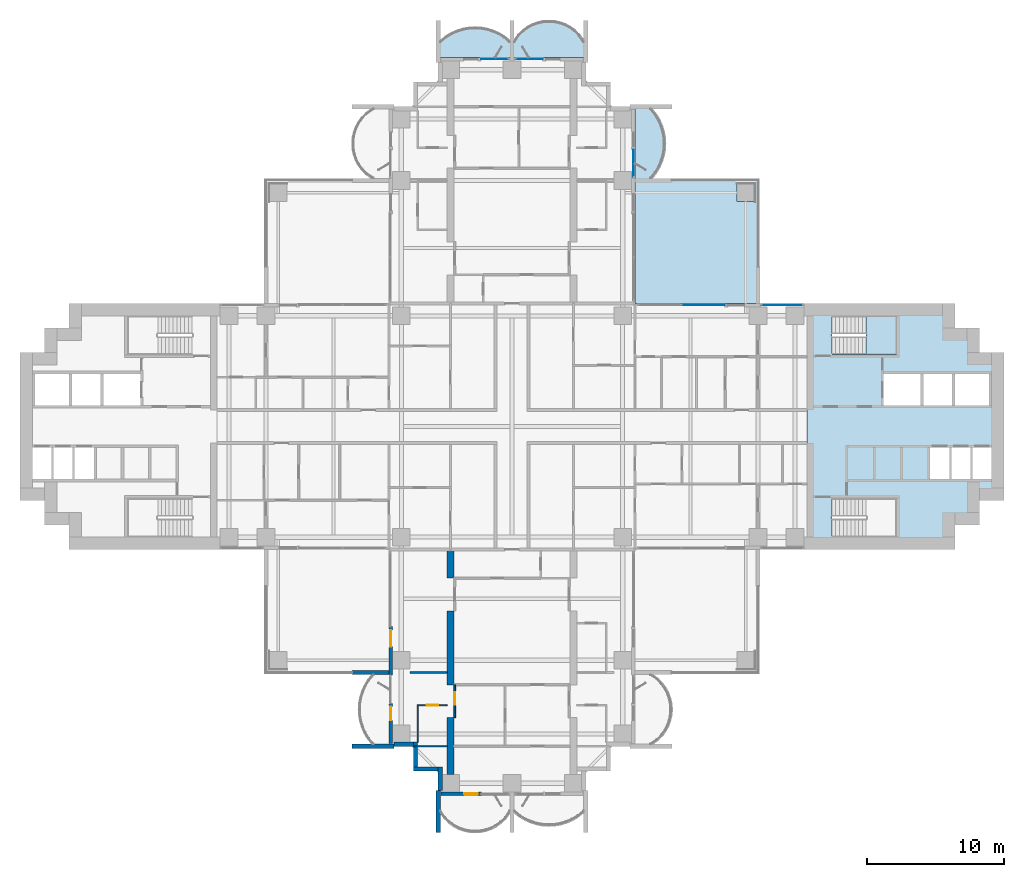
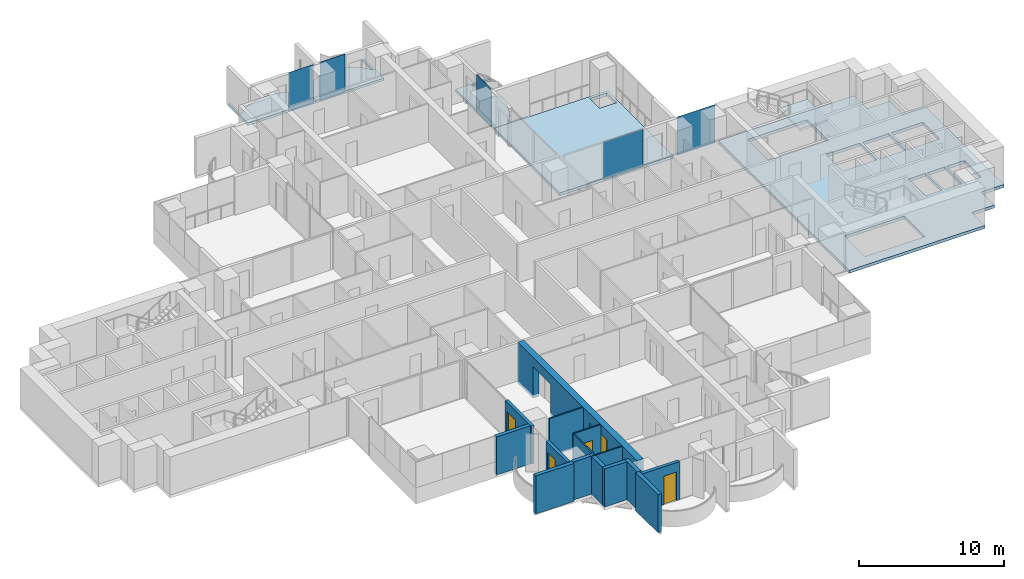
# One storey, part 9 of 21: 16 walls, 6 slabs, 5 doors, 5 plates, 5 openings, 6 elements without a shape of their own.
"""IFC4 building model written with IfcOpenShell, lengths in metres."""

from ifc_helpers import new_model, si_unit, direction, frame, frame_2d, origin, origin_2d, place, context, subcontext, project, spatial, polyline, rectangle, outline, extrude, material, layer, layer_set, material_profile, profile_set, type_object, element, fill, aggregate, save


model = new_model("IFC4")

# Units and contexts
model_context = context("Model", 3, precision=1e-05, world=origin(), true_north=direction((0.0, 1.0)))
body_context = subcontext(model_context, "Body", "Model", "MODEL_VIEW")
ifc_project = project(units=[si_unit("LENGTHUNIT", "METRE"), si_unit("AREAUNIT", "SQUARE_METRE"), si_unit("VOLUMEUNIT", "CUBIC_METRE"), si_unit("PLANEANGLEUNIT", "RADIAN"), si_unit("MASSUNIT", "GRAM", prefix="KILO")], contexts=[model_context])

# Site, building, storey
site_placement = place(None, origin())
site = spatial("IfcSite", under=ifc_project, at=site_placement, CompositionType="ELEMENT")
building_placement = place(site_placement, origin())
building = spatial("IfcBuilding", under=site, at=building_placement, Name="Perihelion Cross Residences", CompositionType="ELEMENT")
storey_placement = place(building_placement, frame((0.0, 0.0, 89.0)))
storey = spatial("IfcBuildingStorey", under=building, at=storey_placement, Name="L20", CompositionType="ELEMENT", Elevation=89.0)

# Slabs
ifc_material_1 = material(Name="Concrete C40/50", Category="concrete")
ifc_layer_1 = layer(ifc_material_1, 0.199951171875)
ifc_layer_set_1 = layer_set([ifc_layer_1], Name="Balcony slab 200")
slab_type_1 = type_object("IfcSlabType", Name="Balcony slab 200", PredefinedType="FLOOR", material=ifc_layer_set_1)
slab_1_placement = place(storey_placement, frame((0.0, 0.0, -0.199951171875)))
element("IfcSlab", 1, at=slab_1_placement, inside=storey, type_object=slab_type_1, Name="Slab BK1 L20 north side east bay 2 balcony", PredefinedType="FLOOR", context=body_context, shape_type="SweptSolid", body=[
    extrude(outline(polyline([(9.0, 18.0), (9.0, 23.39990234375), (11.699951171875, 23.39990234375), (11.699951171875, 23.25), (10.199951171875, 23.25), (10.5400390625, 22.824951171875), (10.792724609375, 22.39990234375), (10.9765625, 21.97509765625), (11.1025390625, 21.550048828125), (11.17578125, 21.125), (11.199951171875, 20.699951171875), (11.17578125, 20.27490234375), (11.1025390625, 19.85009765625), (10.9765625, 19.425048828125), (10.792724609375, 19.0), (10.5400390625, 18.574951171875), (10.199951171875, 18.14990234375), (11.699951171875, 18.14990234375), (11.699951171875, 18.0), (9.0, 18.0)])), origin(), (0.0, 0.0, 1.0), 0.199951171875),
])
slab_2_placement = place(storey_placement, frame((0.0, 0.0, -0.199951171875)))
element("IfcSlab", 2, at=slab_2_placement, inside=storey, type_object=slab_type_1, Name="Slab BK1 L20 north tip north bay 1 balcony", PredefinedType="FLOOR", context=body_context, shape_type="SweptSolid", body=[
    extrude(outline(polyline([(5.39990234375, 27.0), (0.0, 27.0), (0.0, 29.699951171875), (0.14990234375, 29.699951171875), (0.14990234375, 28.199951171875), (0.489990234375, 28.6767578125), (0.830078125, 29.007080078125), (1.169921875, 29.2490234375), (1.510009765625, 29.42724609375), (1.85009765625, 29.553466796875), (2.18994140625, 29.63427734375), (2.530029296875, 29.674072265625), (2.8701171875, 29.674072265625), (3.2099609375, 29.63427734375), (3.550048828125, 29.553466796875), (3.889892578125, 29.42724609375), (4.22998046875, 29.2490234375), (4.570068359375, 29.007080078125), (4.909912109375, 28.6767578125), (5.25, 28.199951171875), (5.25, 29.699951171875), (5.39990234375, 29.699951171875), (5.39990234375, 27.0)])), origin(), (0.0, 0.0, 1.0), 0.199951171875),
])
slab_3_placement = place(storey_placement, frame((0.0, 0.0, -0.199951171875)))
element("IfcSlab", 3, at=slab_3_placement, inside=storey, type_object=slab_type_1, Name="Slab BK1 L20 north tip north bay 2 balcony", PredefinedType="FLOOR", context=body_context, shape_type="SweptSolid", body=[
    extrude(outline(polyline([(0.0, 27.0), (-5.39990234375, 27.0), (-5.39990234375, 29.699951171875), (-5.25, 29.699951171875), (-5.25, 28.199951171875), (-4.824951171875, 28.5400390625), (-4.39990234375, 28.792724609375), (-3.97509765625, 28.9765625), (-3.550048828125, 29.1025390625), (-3.125, 29.17578125), (-2.699951171875, 29.199951171875), (-2.27490234375, 29.17578125), (-1.85009765625, 29.1025390625), (-1.425048828125, 28.9765625), (-1.0, 28.792724609375), (-0.574951171875, 28.5400390625), (-0.14990234375, 28.199951171875), (-0.14990234375, 29.699951171875), (0.0, 29.699951171875), (0.0, 27.0)])), origin(), (0.0, 0.0, 1.0), 0.199951171875),
])

# Curtain wall, plate
ifc_material_2 = material(Name="Bronze anodised aluminium, tinted glazing", Category="aluminium")
curtain_wall_type = type_object("IfcCurtainWallType", Name="CW1", PredefinedType="NOTDEFINED", material=ifc_material_2)
curtain_wall_1_placement = place(storey_placement, origin())
curtain_wall_1 = element("IfcCurtainWall", 4, at=curtain_wall_1_placement, inside=storey, type_object=curtain_wall_type, Name="Curtain wall CW1 L20 east side north bay 1", PredefinedType="NOTDEFINED")
ifc_material_3 = material(Name="Tinted laminated glass", Category="glass")
ifc_layer_2 = layer(ifc_material_3, 0.028076171875)
ifc_layer_set_2 = layer_set([ifc_layer_2], Name="CW1 panel")
plate_type = type_object("IfcPlateType", Name="CW1 panel", PredefinedType="CURTAIN_PANEL", material=ifc_layer_set_2)
plate_1_placement = place(storey_placement, frame((19.77490234375, 8.89990234375, 0.0), z_axis=(0.0, 0.0, 1.0), x_axis=(-1.0, 0.0, 0.0)))
plate_1 = element("IfcPlate", 5, at=plate_1_placement, type_object=plate_type, Name="CW1 panel 1", PredefinedType="CURTAIN_PANEL", context=body_context, shape_type="SweptSolid", body=[
    extrude(rectangle(XDim=3.030029296875, YDim=0.028076171875, at=origin_2d()), origin(), (0.0, 0.0, 1.0), 3.199951171875),
])
aggregate(curtain_wall_1, [plate_1])

curtain_wall_2_placement = place(storey_placement, origin())
curtain_wall_2 = element("IfcCurtainWall", 6, at=curtain_wall_2_placement, inside=storey, type_object=curtain_wall_type, Name="Curtain wall CW1 L20 east side north bay 2", PredefinedType="NOTDEFINED")
plate_2_placement = place(storey_placement, frame((13.9775390625, 8.89990234375, 0.0), z_axis=(0.0, 0.0, 1.0), x_axis=(-1.0, 0.0, 0.0)))
plate_2 = element("IfcPlate", 7, at=plate_2_placement, type_object=plate_type, Name="CW1 panel 1", PredefinedType="CURTAIN_PANEL", context=body_context, shape_type="SweptSolid", body=[
    extrude(rectangle(XDim=3.14501953125, YDim=0.028076171875, at=origin_2d()), origin(), (0.0, 0.0, 1.0), 3.139892578125),
])
aggregate(curtain_wall_2, [plate_2])

curtain_wall_3_placement = place(storey_placement, origin())
curtain_wall_3 = element("IfcCurtainWall", 8, at=curtain_wall_3_placement, inside=storey, type_object=curtain_wall_type, Name="Curtain wall CW1 L20 north side east bay 2", PredefinedType="NOTDEFINED")
plate_3_placement = place(storey_placement, frame((8.89990234375, 19.2548828125, 0.0), z_axis=(0.0, 0.0, 1.0), x_axis=(0.0, 1.0, 0.0)))
plate_3 = element("IfcPlate", 9, at=plate_3_placement, type_object=plate_type, Name="CW1 panel 1", PredefinedType="CURTAIN_PANEL", context=body_context, shape_type="SweptSolid", body=[
    extrude(rectangle(XDim=1.989990234375, YDim=0.028076171875, at=origin_2d()), origin(), (0.0, 0.0, 1.0), 3.199951171875),
])
aggregate(curtain_wall_3, [plate_3])

curtain_wall_4_placement = place(storey_placement, origin())
curtain_wall_4 = element("IfcCurtainWall", 10, at=curtain_wall_4_placement, inside=storey, type_object=curtain_wall_type, Name="Curtain wall CW1 L20 north tip north bay 1", PredefinedType="NOTDEFINED")
plate_4_placement = place(storey_placement, frame((1.2548828125, 26.89990234375, 0.0), z_axis=(0.0, 0.0, 1.0), x_axis=(-1.0, 0.0, 0.0)))
plate_4 = element("IfcPlate", 11, at=plate_4_placement, type_object=plate_type, Name="CW1 panel 1", PredefinedType="CURTAIN_PANEL", context=body_context, shape_type="SweptSolid", body=[
    extrude(rectangle(XDim=1.989990234375, YDim=0.028076171875, at=origin_2d()), origin(), (0.0, 0.0, 1.0), 3.199951171875),
])
aggregate(curtain_wall_4, [plate_4])

curtain_wall_5_placement = place(storey_placement, origin())
curtain_wall_5 = element("IfcCurtainWall", 12, at=curtain_wall_5_placement, inside=storey, type_object=curtain_wall_type, Name="Curtain wall CW1 L20 north tip north bay 2", PredefinedType="NOTDEFINED")
plate_5_placement = place(storey_placement, frame((-1.2548828125, 26.89990234375, 0.0), z_axis=(0.0, 0.0, 1.0), x_axis=(-1.0, 0.0, 0.0)))
plate_5 = element("IfcPlate", 13, at=plate_5_placement, type_object=plate_type, Name="CW1 panel 1", PredefinedType="CURTAIN_PANEL", context=body_context, shape_type="SweptSolid", body=[
    extrude(rectangle(XDim=1.989990234375, YDim=0.028076171875, at=origin_2d()), origin(), (0.0, 0.0, 1.0), 3.199951171875),
])
aggregate(curtain_wall_5, [plate_5])

# Slabs
ifc_material_4 = material(Name="Concrete C40/50", Category="concrete")
ifc_layer_3 = layer(ifc_material_4, 0.25)
ifc_layer_set_3 = layer_set([ifc_layer_3], Name="Core floor slab 250")
slab_type_2 = type_object("IfcSlabType", Name="Core floor slab 250", PredefinedType="FLOOR", material=ifc_layer_set_3)
slab_4_placement = place(storey_placement, frame((0.0, 0.0, -0.25)))
element("IfcSlab", 14, at=slab_4_placement, inside=storey, type_object=slab_type_2, Name="East core floor slab", PredefinedType="FLOOR", context=body_context, shape_type="SweptSolid", body=[
    extrude(outline(polyline([(32.39990234375, 7.199951171875), (34.199951171875, 7.199951171875), (34.199951171875, 5.39990234375), (36.0, 5.39990234375), (36.0, -5.39990234375), (34.199951171875, -5.39990234375), (34.199951171875, -7.199951171875), (32.39990234375, -7.199951171875), (32.39990234375, -9.0), (21.60009765625, -9.0), (21.60009765625, 9.0), (32.39990234375, 9.0), (32.39990234375, 7.199951171875)]), holes=[polyline([(23.405029296875, -8.10009765625), (28.14990234375, -8.10009765625), (28.14990234375, -5.25), (23.405029296875, -5.25), (23.405029296875, -8.10009765625)]), polyline([(30.60009765625, -1.550048828125), (30.60009765625, -3.85009765625), (32.0, -3.85009765625), (32.0, -1.550048828125), (30.60009765625, -1.550048828125)]), polyline([(32.14990234375, -1.550048828125), (32.14990234375, -3.85009765625), (33.550048828125, -3.85009765625), (33.550048828125, -1.550048828125), (32.14990234375, -1.550048828125)]), polyline([(33.699951171875, -1.550048828125), (33.699951171875, -3.85009765625), (35.10009765625, -3.85009765625), (35.10009765625, -1.550048828125), (33.699951171875, -1.550048828125)]), polyline([(27.199951171875, 3.85009765625), (27.199951171875, 1.550048828125), (29.89990234375, 1.550048828125), (29.89990234375, 3.85009765625), (27.199951171875, 3.85009765625)]), polyline([(30.10009765625, 3.85009765625), (30.10009765625, 1.550048828125), (32.199951171875, 1.550048828125), (32.199951171875, 3.85009765625), (30.10009765625, 3.85009765625)]), polyline([(32.39990234375, 3.85009765625), (32.39990234375, 1.550048828125), (34.89990234375, 1.550048828125), (34.89990234375, 3.85009765625), (32.39990234375, 3.85009765625)]), polyline([(23.405029296875, 5.25), (28.14990234375, 5.25), (28.14990234375, 8.10009765625), (23.405029296875, 8.10009765625), (23.405029296875, 5.25)])]), origin(), (0.0, 0.0, 1.0), 0.25),
])
ifc_material_5 = material(Name="Concrete C40/50", Category="concrete")
ifc_layer_4 = layer(ifc_material_5, 0.25)
ifc_layer_set_4 = layer_set([ifc_layer_4], Name="Corner terrace slab")
slab_type_3 = type_object("IfcSlabType", Name="Corner terrace slab", PredefinedType="FLOOR", material=ifc_layer_set_4)
slab_5_placement = place(storey_placement, frame((0.0, 0.0, -0.25)))
element("IfcSlab", 15, at=slab_5_placement, inside=storey, type_object=slab_type_3, Name="Slab BK2 L20 pocket north-east", PredefinedType="FLOOR", context=body_context, shape_type="SweptSolid", body=[
    extrude(outline(polyline([(18.0, 9.0), (18.0, 18.0), (9.0, 18.0), (9.0, 9.0), (18.0, 9.0)]), holes=[polyline([(16.449951171875, 16.449951171875), (16.449951171875, 17.7900390625), (17.7900390625, 17.7900390625), (17.7900390625, 16.409912109375), (17.75, 16.409912109375), (17.75, 16.449951171875), (16.449951171875, 16.449951171875)])]), origin(), (0.0, 0.0, 1.0), 0.25),
])

# Stair, slab
ifc_material_6 = material(Name="Concrete C40/50", Category="concrete")
stair_type = type_object("IfcStairType", Name="Exit stair, half-turn", PredefinedType="HALF_TURN_STAIR", material=ifc_material_6)
stair_placement = place(storey_placement, origin())
stair = element("IfcStair", 16, at=stair_placement, inside=storey, type_object=stair_type, Name="L20 East core exit stair 1", PredefinedType="HALF_TURN_STAIR")
ifc_material_7 = material(Name="Concrete C40/50", Category="concrete")
ifc_layer_5 = layer(ifc_material_7, 0.199951171875)
ifc_layer_set_5 = layer_set([ifc_layer_5], Name="Exit stair landing 200")
slab_type_4 = type_object("IfcSlabType", Name="Exit stair landing 200", PredefinedType="LANDING", material=ifc_layer_set_5)
slab_6_placement = place(storey_placement, frame((0.0, 0.0, 1.550048828125)))
slab_6 = element("IfcSlab", 17, at=slab_6_placement, type_object=slab_type_4, Name="ST-E1 landing 1", PredefinedType="LANDING", context=body_context, shape_type="SweptSolid", body=[
    extrude(outline(polyline([(25.919921875, 5.25), (28.14990234375, 5.25), (28.14990234375, 8.10009765625), (25.919921875, 8.10009765625), (25.919921875, 5.25)])), origin(), (0.0, 0.0, 1.0), 0.199951171875),
])
aggregate(stair, [slab_6])

# Wall, opening, door
ifc_material_8 = material(Name="Concrete C30/37, bronze-clad", Category="concrete")
ifc_layer_6 = layer(ifc_material_8, 0.25)
ifc_layer_set_6 = layer_set([ifc_layer_6], Name="Bronze-clad pier wall 250")
wall_type_1 = type_object("IfcWallType", Name="Bronze-clad pier wall 250", PredefinedType="SOLIDWALL", material=ifc_layer_set_6)
wall_1_placement = place(storey_placement, frame((-8.875, -14.64990234375, 0.0), z_axis=(0.0, 0.0, 1.0), x_axis=(0.0, -1.0, 0.0)))
wall_1 = element("IfcWall", 18, at=wall_1_placement, inside=storey, type_object=wall_type_1, Name="Wall FW1 L20 south side west bay 1 pier", PredefinedType="SOLIDWALL", context=body_context, shape_type="SweptSolid", body=[
    extrude(rectangle(XDim=3.550048828125, YDim=0.25, at=frame_2d((1.77490234375, 0.0))), origin(), (0.0, 0.0, 1.0), 3.199951171875),
])
opening_1_placement = place(wall_1_placement, frame((0.25, 0.0, 0.0)))
opening_1 = element("IfcOpeningElement", 19, at=opening_1_placement, cuts=wall_1, Name="Opening L20.E10", PredefinedType="OPENING", context=body_context, shape_type="SweptSolid", body=[
    extrude(rectangle(XDim=1.199951171875, YDim=2.39990234375, at=frame_2d((0.60009765625, 1.199951171875))), frame((0.0, 0.135009765625, 0.0), z_axis=(0.0, -1.0, 0.0), x_axis=(1.0, 0.0, 0.0)), (0.0, 0.0, 1.0), 0.27001953125),
])
ifc_material_9 = material(Name="Bronze anodised aluminium, glazed", Category="aluminium")
door_type_1 = type_object("IfcDoorType", Name="Balcony door 1200 x 2400", OperationType="NOTDEFINED", PredefinedType="DOOR", material=ifc_material_9)
door_1_placement = place(opening_1_placement, origin())
door_1 = element("IfcDoor", 20, at=door_1_placement, inside=storey, type_object=door_type_1, Name="Door L20.E10 south side west bay 1", OperationType="SINGLE_SWING_LEFT", OverallHeight=2.39990234375, OverallWidth=1.199951171875, PredefinedType="DOOR", context=body_context, shape_type="SweptSolid", body=[
    extrude(rectangle(XDim=1.199951171875, YDim=2.39990234375, at=frame_2d((0.60009765625, 1.199951171875))), frame((0.0, 0.02490234375, 0.0), z_axis=(0.0, -1.0, 0.0), x_axis=(1.0, 0.0, 0.0)), (0.0, 0.0, 1.0), 0.050048828125),
])
fill(opening_1, door_1)

wall_2_placement = place(storey_placement, frame((-8.875, -20.25, 0.0), z_axis=(0.0, 0.0, 1.0), x_axis=(0.0, -1.0, 0.0)))
wall_2 = element("IfcWall", 21, at=wall_2_placement, inside=storey, type_object=wall_type_1, Name="Wall FW1 L20 south side west bay 2 pier", PredefinedType="SOLIDWALL", context=body_context, shape_type="SweptSolid", body=[
    extrude(rectangle(XDim=2.949951171875, YDim=0.25, at=frame_2d((1.47509765625, 0.0))), origin(), (0.0, 0.0, 1.0), 3.199951171875),
])
opening_2_placement = place(wall_2_placement, frame((0.25, 0.0, 0.0)))
opening_2 = element("IfcOpeningElement", 22, at=opening_2_placement, cuts=wall_2, Name="Opening L20.E11", PredefinedType="OPENING", context=body_context, shape_type="SweptSolid", body=[
    extrude(rectangle(XDim=1.0, YDim=2.39990234375, at=frame_2d((0.5, 1.199951171875))), frame((0.0, 0.135009765625, 0.0), z_axis=(0.0, -1.0, 0.0), x_axis=(1.0, 0.0, 0.0)), (0.0, 0.0, 1.0), 0.27001953125),
])
ifc_material_10 = material(Name="Bronze anodised aluminium, glazed", Category="aluminium")
door_type_2 = type_object("IfcDoorType", Name="Balcony door 1000 x 2400", OperationType="NOTDEFINED", PredefinedType="DOOR", material=ifc_material_10)
door_2_placement = place(opening_2_placement, origin())
door_2 = element("IfcDoor", 23, at=door_2_placement, inside=storey, type_object=door_type_2, Name="Door L20.E11 south side west bay 2", OperationType="SINGLE_SWING_RIGHT", OverallHeight=2.39990234375, OverallWidth=1.0, PredefinedType="DOOR", context=body_context, shape_type="SweptSolid", body=[
    extrude(rectangle(XDim=1.0, YDim=2.39990234375, at=frame_2d((0.5, 1.199951171875))), frame((0.0, 0.02490234375, 0.0), z_axis=(0.0, -1.0, 0.0), x_axis=(1.0, 0.0, 0.0)), (0.0, 0.0, 1.0), 0.050048828125),
])
fill(opening_2, door_2)

wall_3_placement = place(storey_placement, frame((-5.199951171875, -26.875, 0.0), z_axis=(0.0, 0.0, 1.0), x_axis=(1.0, 0.0, 0.0)))
wall_3 = element("IfcWall", 24, at=wall_3_placement, inside=storey, type_object=wall_type_1, Name="Wall FW1 L20 south tip south bay 1 pier", PredefinedType="SOLIDWALL", context=body_context, shape_type="SweptSolid", body=[
    extrude(rectangle(XDim=2.949951171875, YDim=0.25, at=frame_2d((1.47509765625, 0.0))), origin(), (0.0, 0.0, 1.0), 3.199951171875),
])
opening_3_placement = place(wall_3_placement, frame((1.699951171875, 0.0, 0.0)))
opening_3 = element("IfcOpeningElement", 25, at=opening_3_placement, cuts=wall_3, Name="Opening L20.E12", PredefinedType="OPENING", context=body_context, shape_type="SweptSolid", body=[
    extrude(rectangle(XDim=1.0, YDim=2.39990234375, at=frame_2d((0.5, 1.199951171875))), frame((0.0, 0.135009765625, 0.0), z_axis=(0.0, -1.0, 0.0), x_axis=(1.0, 0.0, 0.0)), (0.0, 0.0, 1.0), 0.27001953125),
])
door_3_placement = place(opening_3_placement, origin())
door_3 = element("IfcDoor", 26, at=door_3_placement, inside=storey, type_object=door_type_2, Name="Door L20.E12 south tip south bay 1", OperationType="SINGLE_SWING_LEFT", OverallHeight=2.39990234375, OverallWidth=1.0, PredefinedType="DOOR", context=body_context, shape_type="SweptSolid", body=[
    extrude(rectangle(XDim=1.0, YDim=2.39990234375, at=frame_2d((0.5, 1.199951171875))), frame((0.0, 0.02490234375, 0.0), z_axis=(0.0, -1.0, 0.0), x_axis=(1.0, 0.0, 0.0)), (0.0, 0.0, 1.0), 0.050048828125),
])
fill(opening_3, door_3)

# Walls
ifc_material_11 = material(Name="Concrete C30/37, bronze-clad", Category="concrete")
ifc_layer_7 = layer(ifc_material_11, 0.300048828125)
ifc_layer_set_7 = layer_set([ifc_layer_7], Name="Bronze-clad serration wall 300")
wall_type_2 = type_object("IfcWallType", Name="Bronze-clad serration wall 300", PredefinedType="SOLIDWALL", material=ifc_layer_set_7)
wall_4_placement = place(storey_placement, frame((-8.64990234375, -23.25, 0.0), z_axis=(0.0, 0.0, 1.0), x_axis=(1.0, 0.0, 0.0)))
element("IfcWall", 27, at=wall_4_placement, inside=storey, type_object=wall_type_2, Name="Wall SR1 L20 south corner south-west 1", PredefinedType="SOLIDWALL", context=body_context, shape_type="SweptSolid", body=[
    extrude(rectangle(XDim=1.449951171875, YDim=0.300048828125, at=frame_2d((0.72509765625, 0.0))), origin(), (0.0, 0.0, 1.0), 3.199951171875),
])
wall_5_placement = place(storey_placement, frame((-7.050048828125, -23.10009765625, 0.0), z_axis=(0.0, 0.0, 1.0), x_axis=(0.0, -1.0, 0.0)))
element("IfcWall", 28, at=wall_5_placement, inside=storey, type_object=wall_type_2, Name="Wall SR1 L20 south corner south-west 2", PredefinedType="SOLIDWALL", context=body_context, shape_type="SweptSolid", body=[
    extrude(rectangle(XDim=1.7998046875, YDim=0.300048828125, at=frame_2d((0.89990234375, 0.0))), origin(), (0.0, 0.0, 1.0), 3.199951171875),
])
wall_6_placement = place(storey_placement, frame((-7.199951171875, -25.050048828125, 0.0), z_axis=(0.0, 0.0, 1.0), x_axis=(1.0, 0.0, 0.0)))
element("IfcWall", 29, at=wall_6_placement, inside=storey, type_object=wall_type_2, Name="Wall SR1 L20 south corner south-west 3", PredefinedType="SOLIDWALL", context=body_context, shape_type="SweptSolid", body=[
    extrude(rectangle(XDim=1.800048828125, YDim=0.300048828125, at=frame_2d((0.89990234375, 0.0))), origin(), (0.0, 0.0, 1.0), 3.199951171875),
])
wall_7_placement = place(storey_placement, frame((-5.25, -24.89990234375, 0.0), z_axis=(0.0, 0.0, 1.0), x_axis=(0.0, -1.0, 0.0)))
element("IfcWall", 30, at=wall_7_placement, inside=storey, type_object=wall_type_2, Name="Wall SR1 L20 south corner south-west 4", PredefinedType="SOLIDWALL", context=body_context, shape_type="SweptSolid", body=[
    extrude(rectangle(XDim=1.75, YDim=0.300048828125, at=frame_2d((0.875, 0.0))), origin(), (0.0, 0.0, 1.0), 3.199951171875),
])

# Wall, opening, door
ifc_material_12 = material(Name="Plasterboard partition")
ifc_layer_8 = layer(ifc_material_12, 0.1201171875)
ifc_layer_set_8 = layer_set([ifc_layer_8], Name="Infill panel 120")
wall_type_3 = type_object("IfcWallType", Name="Infill panel 120", PredefinedType="PARTITIONING", material=ifc_layer_set_8)
wall_8_placement = place(storey_placement, frame((-4.18994140625, -18.89990234375, 0.0), z_axis=(0.0, 0.0, 1.0), x_axis=(0.0, -1.0, 0.0)))
wall_8 = element("IfcWall", 31, at=wall_8_placement, inside=storey, type_object=wall_type_3, Name="Partition L20 WI08", PredefinedType="PARTITIONING", context=body_context, shape_type="SweptSolid", body=[
    extrude(rectangle(XDim=2.400146484375, YDim=0.1201171875, at=frame_2d((1.2001953125, 0.0))), origin(), (0.0, 0.0, 1.0), 2.39990234375),
])
opening_4_placement = place(wall_8_placement, frame((0.550048828125, 0.0, 0.0)))
opening_4 = element("IfcOpeningElement", 32, at=opening_4_placement, cuts=wall_8, Name="Opening L20.A64", PredefinedType="OPENING", context=body_context, shape_type="SweptSolid", body=[
    extrude(rectangle(XDim=0.89990234375, YDim=2.10009765625, at=frame_2d((0.449951171875, 1.050048828125))), frame((0.0, 0.070068359375, 0.0), z_axis=(0.0, -1.0, 0.0), x_axis=(1.0, 0.0, 0.0)), (0.0, 0.0, 1.0), 0.14013671875),
])
ifc_material_13 = material(Name="Timber door leaf", Category="wood")
door_type_3 = type_object("IfcDoorType", Name="Interior room door 900 x 2100", OperationType="SINGLE_SWING_LEFT", PredefinedType="DOOR", material=ifc_material_13)
door_4_placement = place(opening_4_placement, origin())
door_4 = element("IfcDoor", 33, at=door_4_placement, inside=storey, type_object=door_type_3, Name="Door L20.A64", OperationType="SINGLE_SWING_RIGHT", OverallHeight=2.10009765625, OverallWidth=0.89990234375, PredefinedType="DOOR", context=body_context, shape_type="SweptSolid", body=[
    extrude(rectangle(XDim=0.89990234375, YDim=2.10009765625, at=frame_2d((0.449951171875, 1.050048828125))), frame((0.0, 0.02490234375, 0.0), z_axis=(0.0, -1.0, 0.0), x_axis=(1.0, 0.0, 0.0)), (0.0, 0.0, 1.0), 0.050048828125),
])
fill(opening_4, door_4)

# Walls
ifc_material_14 = material(Name="Plasterboard partition")
ifc_layer_9 = layer(ifc_material_14, 0.1201171875)
ifc_layer_set_9 = layer_set([ifc_layer_9], Name="Partition wall 120")
wall_type_4 = type_object("IfcWallType", Name="Partition wall 120", PredefinedType="PARTITIONING", material=ifc_layer_set_9)
wall_9_placement = place(storey_placement, frame((-4.75, -18.0, 0.0), z_axis=(0.0, 0.0, 1.0), x_axis=(-1.0, 0.0, 0.0)))
element("IfcWall", 34, at=wall_9_placement, inside=storey, type_object=wall_type_4, Name="Partition L20 W082", PredefinedType="PARTITIONING", context=body_context, shape_type="SweptSolid", body=[
    extrude(rectangle(XDim=2.699951171875, YDim=0.1201171875, at=frame_2d((1.35009765625, 0.0))), origin(), (0.0, 0.0, 1.0), 3.199951171875),
])
ifc_material_15 = material(Name="Precast concrete C50/60", Category="concrete")
ifc_layer_10 = layer(ifc_material_15, 0.300048828125)
ifc_layer_set_10 = layer_set([ifc_layer_10], Name="Precast concrete C50/60 blade wall 300")
wall_type_5 = type_object("IfcWallType", Name="Precast concrete C50/60 blade wall 300", PredefinedType="SOLIDWALL", material=ifc_layer_set_10)
wall_10_placement = place(storey_placement, frame((-8.64990234375, -23.39990234375, 0.0), z_axis=(0.0, 0.0, 1.0), x_axis=(-1.0, 0.0, 0.0)))
element("IfcWall", 35, at=wall_10_placement, inside=storey, type_object=wall_type_5, Name="Wall BL1 L20 no. 6", PredefinedType="SOLIDWALL", context=body_context, shape_type="SweptSolid", body=[
    extrude(rectangle(XDim=3.050048828125, YDim=0.300048828125, at=frame_2d((1.52490234375, 0.0))), origin(), (0.0, 0.0, 1.0), 3.199951171875),
])
wall_11_placement = place(storey_placement, frame((-9.0, -18.0, 0.0), z_axis=(0.0, 0.0, 1.0), x_axis=(-1.0, 0.0, 0.0)))
element("IfcWall", 36, at=wall_11_placement, inside=storey, type_object=wall_type_5, Name="Wall BL1 L20 no. 5", PredefinedType="SOLIDWALL", context=body_context, shape_type="SweptSolid", body=[
    extrude(rectangle(XDim=2.699951171875, YDim=0.300048828125, at=frame_2d((1.35009765625, 0.0))), origin(), (0.0, 0.0, 1.0), 3.199951171875),
])
wall_12_placement = place(storey_placement, frame((-5.39990234375, -26.64990234375, 0.0), z_axis=(0.0, 0.0, 1.0), x_axis=(0.0, -1.0, 0.0)))
element("IfcWall", 37, at=wall_12_placement, inside=storey, type_object=wall_type_5, Name="Wall BL1 L20 no. 3", PredefinedType="SOLIDWALL", context=body_context, shape_type="SweptSolid", body=[
    extrude(rectangle(XDim=3.050048828125, YDim=0.300048828125, at=frame_2d((1.52490234375, 0.0))), origin(), (0.0, 0.0, 1.0), 3.199951171875),
])
ifc_material_16 = material(Name="Concrete C60/75", Category="concrete")
ifc_material_profile = material_profile(ifc_material_16, outline(polyline([(0.0, 0.0), (4.14990234375, 0.0), (4.14990234375, 2.64990234375), (6.550048828125, 2.64990234375), (6.550048828125, 0.0), (11.949951171875, 0.0), (11.949951171875, 2.64990234375), (14.35009765625, 2.64990234375), (14.35009765625, 0.0), (16.449951171875, 0.0), (16.449951171875, 3.449951171875), (0.0, 3.449951171875), (0.0, 0.0)])), Name="Tip spine wall")
ifc_profile_set = profile_set([ifc_material_profile], Name="Concrete C60/75")
wall_type_6 = type_object("IfcWallType", Name="Tip spine wall 500 with 2 door openings 16450 long 3450 high concrete C60/75", PredefinedType="SHEAR", material=ifc_profile_set)
wall_13_placement = place(storey_placement, frame((-4.75, -25.449951171875, -0.25), z_axis=(1.0, 0.0, 0.0), x_axis=(0.0, 1.0, 0.0)))
element("IfcWall", 38, at=wall_13_placement, inside=storey, type_object=wall_type_6, Name="Shear wall SW25 L20 south west", PredefinedType="SHEAR", context=body_context, shape_type="SweptSolid", body=[
    extrude(outline(polyline([(0.0, 0.0), (4.14990234375, 0.0), (4.14990234375, 2.64990234375), (6.550048828125, 2.64990234375), (6.550048828125, 0.0), (11.949951171875, 0.0), (11.949951171875, 2.64990234375), (14.35009765625, 2.64990234375), (14.35009765625, 0.0), (16.449951171875, 0.0), (16.449951171875, 3.449951171875), (0.0, 3.449951171875), (0.0, 0.0)])), origin(), (0.0, 0.0, 1.0), 0.5),
])

# Wall, opening, door
ifc_material_17 = material(Name="Plasterboard partition")
ifc_layer_11 = layer(ifc_material_17, 0.10009765625)
ifc_layer_set_11 = layer_set([ifc_layer_11], Name="Wet room wall 100")
wall_type_7 = type_object("IfcWallType", Name="Wet room wall 100", PredefinedType="PARTITIONING", material=ifc_layer_set_11)
wall_14_placement = place(storey_placement, frame((-4.75, -20.39990234375, 0.0), z_axis=(0.0, 0.0, 1.0), x_axis=(-1.0, 0.0, 0.0)))
wall_14 = element("IfcWall", 39, at=wall_14_placement, inside=storey, type_object=wall_type_7, Name="Partition L20 W083", PredefinedType="PARTITIONING", context=body_context, shape_type="SweptSolid", body=[
    extrude(rectangle(XDim=2.199951171875, YDim=0.10009765625, at=frame_2d((1.10009765625, 0.0))), origin(), (0.0, 0.0, 1.0), 3.199951171875),
])
opening_5_placement = place(wall_14_placement, frame((0.64990234375, 0.0, 0.0)))
opening_5 = element("IfcOpeningElement", 40, at=opening_5_placement, cuts=wall_14, Name="Opening L20.A52", PredefinedType="OPENING", context=body_context, shape_type="SweptSolid", body=[
    extrude(rectangle(XDim=0.85009765625, YDim=2.10009765625, at=frame_2d((0.425048828125, 1.050048828125))), frame((0.0, 0.06005859375, 0.0), z_axis=(0.0, -1.0, 0.0), x_axis=(1.0, 0.0, 0.0)), (0.0, 0.0, 1.0), 0.1201171875),
])
ifc_material_18 = material(Name="Timber door leaf", Category="wood")
door_type_4 = type_object("IfcDoorType", Name="Interior bathroom door 850 x 2100", OperationType="SINGLE_SWING_LEFT", PredefinedType="DOOR", material=ifc_material_18)
door_5_placement = place(opening_5_placement, origin())
door_5 = element("IfcDoor", 41, at=door_5_placement, inside=storey, type_object=door_type_4, Name="Door L20.A52", OperationType="SINGLE_SWING_RIGHT", OverallHeight=2.10009765625, OverallWidth=0.85009765625, PredefinedType="DOOR", context=body_context, shape_type="SweptSolid", body=[
    extrude(rectangle(XDim=0.85009765625, YDim=2.10009765625, at=frame_2d((0.425048828125, 1.050048828125))), frame((0.0, 0.02490234375, 0.0), z_axis=(0.0, -1.0, 0.0), x_axis=(1.0, 0.0, 0.0)), (0.0, 0.0, 1.0), 0.050048828125),
])
fill(opening_5, door_5)

# Walls
wall_15_placement = place(storey_placement, frame((-6.89990234375, -20.449951171875, 0.0), z_axis=(0.0, 0.0, 1.0), x_axis=(0.0, -1.0, 0.0)))
element("IfcWall", 42, at=wall_15_placement, inside=storey, type_object=wall_type_7, Name="Partition L20 W084", PredefinedType="PARTITIONING", context=body_context, shape_type="SweptSolid", body=[
    extrude(rectangle(XDim=2.650146484375, YDim=0.10009765625, at=frame_2d((1.3251953125, 0.0))), origin(), (0.0, 0.0, 1.0), 3.199951171875),
])
wall_16_placement = place(storey_placement, frame((-4.75, -23.39990234375, 0.0), z_axis=(0.0, 0.0, 1.0), x_axis=(-1.0, 0.0, 0.0)))
element("IfcWall", 43, at=wall_16_placement, inside=storey, type_object=wall_type_7, Name="Partition L20 W085", PredefinedType="PARTITIONING", context=body_context, shape_type="SweptSolid", body=[
    extrude(rectangle(XDim=2.3701171875, YDim=0.10009765625, at=frame_2d((1.18505859375, 0.0))), origin(), (0.0, 0.0, 1.0), 3.199951171875),
])

save(model, "model.ifc")
